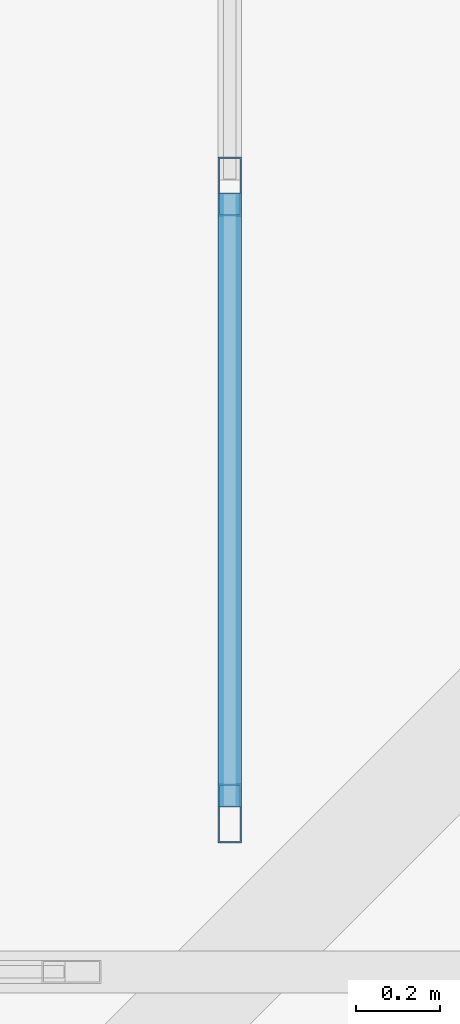
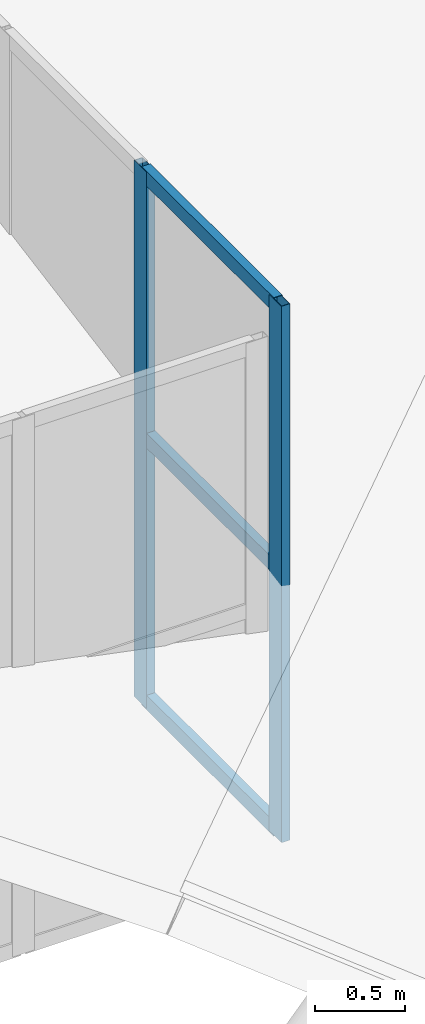
# One storey, part 121 of 397: 5 members, 1 element without a shape of its own.
"""IFC4 building model written with IfcOpenShell, lengths in metres."""

from ifc_helpers import new_model, si_unit, direction, frame, origin, origin_2d, place, context, subcontext, project, spatial, hollow_rectangle, extrude, material, material_profile, profile_set, type_object, element, aggregate, save


model = new_model("IFC4")

# Units and contexts
model_context = context("Model", 3, precision=1e-05, world=origin(), true_north=direction((0.0, 1.0)))
body_context = subcontext(model_context, "Body", "Model", "MODEL_VIEW")
ifc_project = project(units=[si_unit("LENGTHUNIT", "METRE"), si_unit("AREAUNIT", "SQUARE_METRE"), si_unit("VOLUMEUNIT", "CUBIC_METRE"), si_unit("PLANEANGLEUNIT", "RADIAN"), si_unit("MASSUNIT", "GRAM", prefix="KILO")], contexts=[model_context])

# Site, building, storey
site_placement = place(None, origin())
site = spatial("IfcSite", under=ifc_project, at=site_placement, CompositionType="ELEMENT")
building_placement = place(site_placement, origin())
building = spatial("IfcBuilding", under=site, at=building_placement, Name="Qandorah Velis Arena", CompositionType="ELEMENT")
storey_placement = place(building_placement, frame((0.0, 0.0, 27.5)))
storey = spatial("IfcBuildingStorey", under=building, at=storey_placement, Name="RF", CompositionType="ELEMENT", Elevation=27.5)

# Curtain wall, members
ifc_material_1 = material(Name="Solar-control low-E double glazing", Category="glass")
curtain_wall_type = type_object("IfcCurtainWallType", Name="ARC-CW-SYS13", PredefinedType="USERDEFINED", material=ifc_material_1)
curtain_wall_placement = place(storey_placement, origin())
curtain_wall = element("IfcCurtainWall", 1, at=curtain_wall_placement, inside=storey, type_object=curtain_wall_type, Name="Unitised curtain wall MON-2-1", ObjectType="UNITISED CURTAIN WALL", PredefinedType="USERDEFINED")
ifc_material_2 = material(Name="Champagne-bronze anodized aluminium 6063-T6", Category="aluminium")
ifc_material_profile_1 = material_profile(ifc_material_2, hollow_rectangle(XDim=0.054931640625, YDim=0.139892578125, WallThickness=0.0029296875, at=origin_2d()), Name="ALU MULLION 55x140")
ifc_profile_set_1 = profile_set([ifc_material_profile_1], Name="Champagne-bronze anodized aluminium 6063-T6")
member_type_1 = type_object("IfcMemberType", Name="ARC-CWM-140", PredefinedType="MULLION", material=ifc_profile_set_1)
member_1_placement = place(storey_placement, frame((108.0, 21.9775390625, 3.5263671875), z_axis=(0.0, 0.0, 1.0), x_axis=(-1.0, 0.0, 0.0)))
member_1 = element("IfcMember", 2, at=member_1_placement, type_object=member_type_1, Name="CW13 mullion 1", PredefinedType="MULLION", context=body_context, shape_type="SweptSolid", body=[
    extrude(hollow_rectangle(XDim=0.054931640625, YDim=0.139892578125, WallThickness=0.0029296875, at=origin_2d()), origin(), (0.0, 0.0, 1.0), 3.630126953125),
])
member_2_placement = place(storey_placement, frame((108.0, 23.47216796875, 3.5263671875), z_axis=(0.0, 0.0, 1.0), x_axis=(-1.0, 0.0, 0.0)))
member_2 = element("IfcMember", 3, at=member_2_placement, type_object=member_type_1, Name="CW13 mullion 2", PredefinedType="MULLION", context=body_context, shape_type="SweptSolid", body=[
    extrude(hollow_rectangle(XDim=0.054931640625, YDim=0.139892578125, WallThickness=0.0029296875, at=origin_2d()), origin(), (0.0, 0.0, 1.0), 3.630126953125),
])
ifc_material_profile_2 = material_profile(ifc_material_2, hollow_rectangle(XDim=0.054931640625, YDim=0.10009765625, WallThickness=0.0029296875, at=origin_2d()), Name="ALU TRANSOM 55x100")
ifc_profile_set_2 = profile_set([ifc_material_profile_2], Name="Champagne-bronze anodized aluminium 6063-T6")
member_type_2 = type_object("IfcMemberType", Name="ARC-CWT-100", PredefinedType="USERDEFINED", material=ifc_profile_set_2)
member_3_placement = place(storey_placement, frame((108.0, 21.992919921875, 3.56884765625), z_axis=(0.0, 1.0, 0.0), x_axis=(-1.0, 0.0, 0.0)))
member_3 = element("IfcMember", 4, at=member_3_placement, type_object=member_type_2, Name="CW13 transom 1.1", ObjectType="TRANSOM", PredefinedType="USERDEFINED", context=body_context, shape_type="SweptSolid", body=[
    extrude(hollow_rectangle(XDim=0.054931640625, YDim=0.10009765625, WallThickness=0.0029296875, at=origin_2d()), origin(), (0.0, 0.0, 1.0), 1.4638671875),
])
member_4_placement = place(storey_placement, frame((108.0, 21.992919921875, 5.34130859375), z_axis=(0.0, 1.0, 0.0), x_axis=(-1.0, 0.0, 0.0)))
member_4 = element("IfcMember", 5, at=member_4_placement, type_object=member_type_2, Name="CW13 transom 1.2", ObjectType="TRANSOM", PredefinedType="USERDEFINED", context=body_context, shape_type="SweptSolid", body=[
    extrude(hollow_rectangle(XDim=0.054931640625, YDim=0.10009765625, WallThickness=0.0029296875, at=origin_2d()), origin(), (0.0, 0.0, 1.0), 1.4638671875),
])
member_5_placement = place(storey_placement, frame((108.0, 21.992919921875, 7.114013671875), z_axis=(0.0, 1.0, 0.0), x_axis=(-1.0, 0.0, 0.0)))
member_5 = element("IfcMember", 6, at=member_5_placement, type_object=member_type_2, Name="CW13 transom 1.3", ObjectType="TRANSOM", PredefinedType="USERDEFINED", context=body_context, shape_type="SweptSolid", body=[
    extrude(hollow_rectangle(XDim=0.054931640625, YDim=0.10009765625, WallThickness=0.0029296875, at=origin_2d()), origin(), (0.0, 0.0, 1.0), 1.4638671875),
])
aggregate(curtain_wall, [member_1, member_2, member_3, member_4, member_5])

save(model, "model.ifc")
